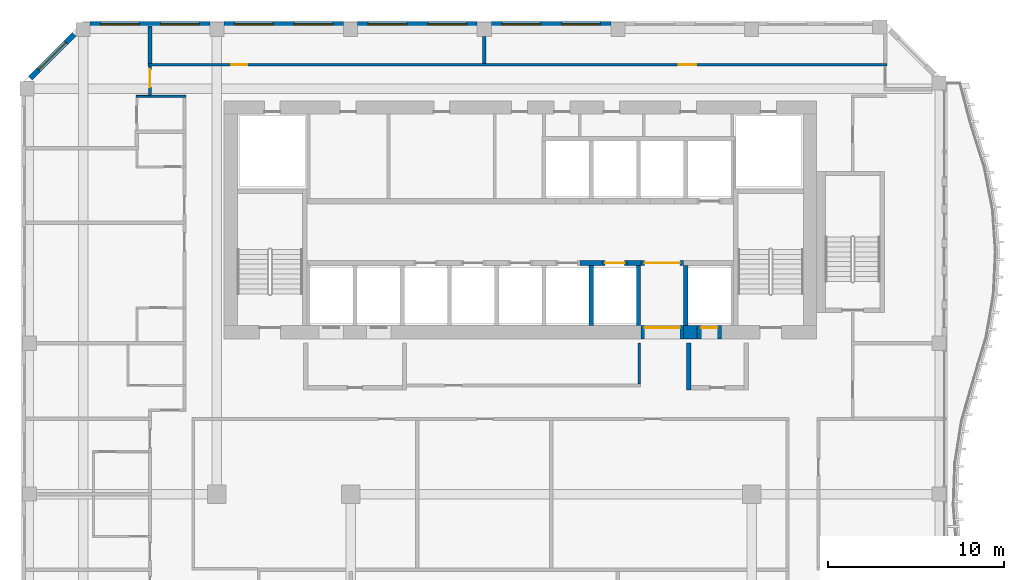
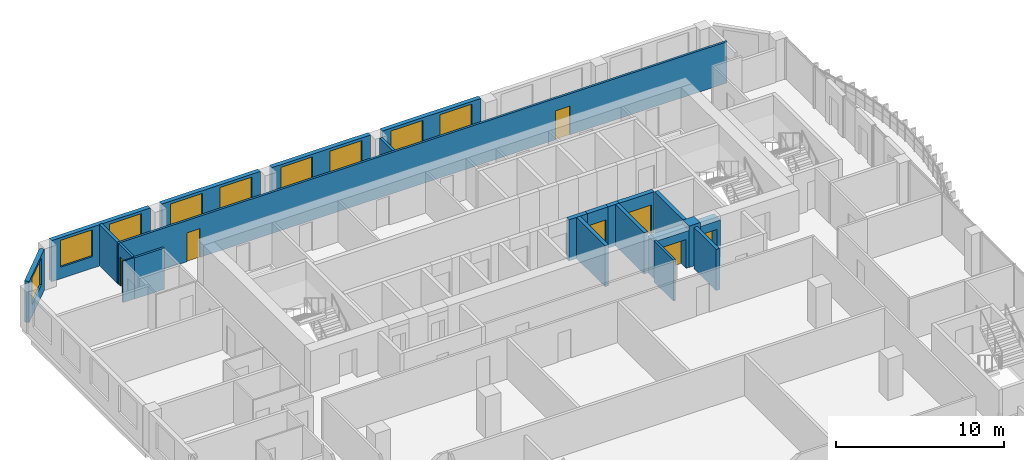
# One storey, part 16 of 24: 23 walls, 9 windows, 7 doors, 16 openings.
"""IFC4 building model written with IfcOpenShell, lengths in metres."""

from ifc_helpers import new_model, si_unit, direction, frame, frame_2d, origin, place, context, subcontext, project, spatial, rectangle, extrude, source, transform, mapped, material, layer, layer_set, type_object, element, fill, save


model = new_model("IFC4")

# Units and contexts
model_context = context("Model", 3, precision=1e-05, world=origin(), true_north=direction((0.0, 1.0)))
body_context = subcontext(model_context, "Body", "Model", "MODEL_VIEW")
ifc_project = project(units=[si_unit("LENGTHUNIT", "METRE"), si_unit("AREAUNIT", "SQUARE_METRE"), si_unit("VOLUMEUNIT", "CUBIC_METRE"), si_unit("PLANEANGLEUNIT", "RADIAN"), si_unit("MASSUNIT", "GRAM", prefix="KILO")], contexts=[model_context])

# Site, building, storey
site_placement = place(None, origin())
site = spatial("IfcSite", under=ifc_project, at=site_placement, CompositionType="ELEMENT")
building_placement = place(site_placement, origin())
building = spatial("IfcBuilding", under=site, at=building_placement, Name="Kilnfold Tower and Market Hall", CompositionType="ELEMENT")
storey_placement = place(building_placement, frame((0.0, 0.0, 192.300048828125)))
storey = spatial("IfcBuildingStorey", under=building, at=storey_placement, Name="L46", CompositionType="ELEMENT", Elevation=192.300048828125)

# Wall, opening, door
ifc_material_1 = material(Name="Gypsum board on steel studs", Category="steel")
ifc_layer_1 = layer(ifc_material_1, 0.14990234375)
ifc_layer_set_1 = layer_set([ifc_layer_1], Name="Gypsum board on steel studs")
wall_type_1 = type_object("IfcWallType", Name="WALL CORRIDOR 150", PredefinedType="PARTITIONING", material=ifc_layer_set_1)
wall_1_placement = place(storey_placement, frame((-19.958984375, 22.074951171875, 0.0), z_axis=(0.0, 0.0, 1.0), x_axis=(0.0, 1.0, 0.0)))
wall_1 = element("IfcWall", 1, at=wall_1_placement, inside=storey, type_object=wall_type_1, Name="Partition LY28.26", PredefinedType="PARTITIONING", context=body_context, shape_type="SweptSolid", body=[
    extrude(rectangle(XDim=1.650146484375, YDim=0.14990234375, at=frame_2d((0.8251953125, 0.0))), origin(), (0.0, 0.0, 1.0), 3.0),
])
opening_1_placement = place(wall_1_placement, frame((0.449951171875, 0.0, 0.0)))
opening_1 = element("IfcOpeningElement", 2, at=opening_1_placement, cuts=wall_1, Name="Opening D1", PredefinedType="OPENING", context=body_context, shape_type="SweptSolid", body=[
    extrude(rectangle(XDim=1.0, YDim=2.10009765625, at=frame_2d((0.5, 1.050048828125))), frame((0.0, 0.0849609375, 0.0), z_axis=(0.0, -1.0, 0.0), x_axis=(1.0, 0.0, 0.0)), (0.0, 0.0, 1.0), 0.169921875),
])
ifc_material_2 = material(Name="Timber veneer door leaf in steel frame", Category="steel")
door_type_1 = type_object("IfcDoorType", Name="DOOR ENTRY 1000 X2100", OperationType="NOTDEFINED", PredefinedType="DOOR", material=ifc_material_2)
door_1_placement = place(opening_1_placement, origin())
door_1 = element("IfcDoor", 3, at=door_1_placement, inside=storey, type_object=door_type_1, Name="Door D1", OperationType="SINGLE_SWING_LEFT", OverallHeight=2.10009765625, OverallWidth=1.0, PredefinedType="DOOR", context=body_context, shape_type="SweptSolid", body=[
    extrude(rectangle(XDim=1.0, YDim=2.10009765625, at=frame_2d((0.5, 1.050048828125))), frame((0.0, 0.02490234375, 0.0), z_axis=(0.0, -1.0, 0.0), x_axis=(1.0, 0.0, 0.0)), (0.0, 0.0, 1.0), 0.050048828125),
])
fill(opening_1, door_1)

# Wall
wall_2_placement = place(storey_placement, frame((-19.958984375, 22.0, 0.0), z_axis=(0.0, 0.0, 1.0), x_axis=(1.0, 0.0, 0.0)))
element("IfcWall", 4, at=wall_2_placement, inside=storey, type_object=wall_type_1, Name="Partition LY28.28", PredefinedType="PARTITIONING", context=body_context, shape_type="SweptSolid", body=[
    extrude(rectangle(XDim=2.033935546875, YDim=0.14990234375, at=frame_2d((1.01708984375, 0.0))), origin(), (0.0, 0.0, 1.0), 3.0),
])

# Wall, openings, doors
wall_3_placement = place(storey_placement, frame((-20.05908203125, 23.800048828125, 0.0), z_axis=(0.0, 0.0, 1.0), x_axis=(1.0, 0.0, 0.0)))
wall_3 = element("IfcWall", 5, at=wall_3_placement, inside=storey, type_object=wall_type_1, Name="Partition LY28.39", PredefinedType="PARTITIONING", context=body_context, shape_type="SweptSolid", body=[
    extrude(rectangle(XDim=41.9091796875, YDim=0.14990234375, at=frame_2d((20.95458984375, 0.0))), origin(), (0.0, 0.0, 1.0), 3.0),
])
opening_2_placement = place(wall_3_placement, frame((4.718017578125, 0.0, 0.0)))
opening_2 = element("IfcOpeningElement", 6, at=opening_2_placement, cuts=wall_3, Name="Opening D2", PredefinedType="OPENING", context=body_context, shape_type="SweptSolid", body=[
    extrude(rectangle(XDim=0.89990234375, YDim=2.10009765625, at=frame_2d((0.449951171875, 1.050048828125))), frame((0.0, 0.0849609375, 0.0), z_axis=(0.0, -1.0, 0.0), x_axis=(1.0, 0.0, 0.0)), (0.0, 0.0, 1.0), 0.169921875),
])
opening_3_placement = place(wall_3_placement, frame((30.0791015625, 0.0, 0.0)))
opening_3 = element("IfcOpeningElement", 7, at=opening_3_placement, cuts=wall_3, Name="Opening D4", PredefinedType="OPENING", context=body_context, shape_type="SweptSolid", body=[
    extrude(rectangle(XDim=1.0, YDim=2.10009765625, at=frame_2d((0.5, 1.050048828125))), frame((0.0, 0.0849609375, 0.0), z_axis=(0.0, -1.0, 0.0), x_axis=(1.0, 0.0, 0.0)), (0.0, 0.0, 1.0), 0.169921875),
])
ifc_material_3 = material(Name="Timber veneer door leaf in steel frame", Category="steel")
door_type_2 = type_object("IfcDoorType", Name="DOOR ROOM 900 X2100", OperationType="NOTDEFINED", PredefinedType="DOOR", material=ifc_material_3)
door_2_placement = place(opening_2_placement, origin())
door_2 = element("IfcDoor", 8, at=door_2_placement, inside=storey, type_object=door_type_2, Name="Door D2", OperationType="SINGLE_SWING_LEFT", OverallHeight=2.10009765625, OverallWidth=0.89990234375, PredefinedType="DOOR", context=body_context, shape_type="SweptSolid", body=[
    extrude(rectangle(XDim=0.89990234375, YDim=2.10009765625, at=frame_2d((0.449951171875, 1.050048828125))), frame((0.0, 0.02490234375, 0.0), z_axis=(0.0, -1.0, 0.0), x_axis=(1.0, 0.0, 0.0)), (0.0, 0.0, 1.0), 0.050048828125),
])
fill(opening_2, door_2)
ifc_material_4 = material(Name="Timber veneer door leaf in steel frame", Category="steel")
door_type_3 = type_object("IfcDoorType", Name="DOOR SERVICE 1000 X2100", OperationType="NOTDEFINED", PredefinedType="DOOR", material=ifc_material_4)
door_3_placement = place(opening_3_placement, origin())
door_3 = element("IfcDoor", 9, at=door_3_placement, inside=storey, type_object=door_type_3, Name="Door D4", OperationType="SINGLE_SWING_LEFT", OverallHeight=2.10009765625, OverallWidth=1.0, PredefinedType="DOOR", context=body_context, shape_type="SweptSolid", body=[
    extrude(rectangle(XDim=1.0, YDim=2.10009765625, at=frame_2d((0.5, 1.050048828125))), frame((0.0, 0.02490234375, 0.0), z_axis=(0.0, -1.0, 0.0), x_axis=(1.0, 0.0, 0.0)), (0.0, 0.0, 1.0), 0.050048828125),
])
fill(opening_3, door_3)

# Walls
wall_4_placement = place(storey_placement, frame((7.800048828125, 8.0, 0.0), z_axis=(0.0, 0.0, 1.0), x_axis=(0.0, -1.0, 0.0)))
element("IfcWall", 10, at=wall_4_placement, inside=storey, type_object=wall_type_1, Name="Partition LY28.41", PredefinedType="PARTITIONING", context=body_context, shape_type="SweptSolid", body=[
    extrude(rectangle(XDim=2.324951171875, YDim=0.14990234375, at=frame_2d((1.16259765625, 0.0))), origin(), (0.0, 0.0, 1.0), 3.0),
])
ifc_material_5 = material(Name="Gypsum board on steel studs", Category="steel")
ifc_layer_2 = layer(ifc_material_5, 0.10009765625)
ifc_layer_set_2 = layer_set([ifc_layer_2], Name="Gypsum board on steel studs")
wall_type_2 = type_object("IfcWallType", Name="WALL PARTITION 100", PredefinedType="PARTITIONING", material=ifc_layer_set_2)
wall_5_placement = place(storey_placement, frame((-20.751953125, 22.0, 0.0), z_axis=(0.0, 0.0, 1.0), x_axis=(1.0, 0.0, 0.0)))
element("IfcWall", 11, at=wall_5_placement, inside=storey, type_object=wall_type_2, Name="Partition LY28.112", PredefinedType="PARTITIONING", context=body_context, shape_type="SweptSolid", body=[
    extrude(rectangle(XDim=0.791015625, YDim=0.10009765625, at=frame_2d((0.3955078125, 0.0))), origin(), (0.0, 0.0, 1.0), 3.0),
])
ifc_material_6 = material(Name="Gypsum board on steel studs", Category="steel")
ifc_layer_3 = layer(ifc_material_6, 0.199951171875)
ifc_layer_set_3 = layer_set([ifc_layer_3], Name="Gypsum board on steel studs")
wall_type_3 = type_object("IfcWallType", Name="WALL PARTY 200", PredefinedType="PARTITIONING", material=ifc_layer_set_3)
wall_6_placement = place(storey_placement, frame((-19.958984375, 23.876953125, 0.0), z_axis=(0.0, 0.0, 1.0), x_axis=(0.0, 1.0, 0.0)))
element("IfcWall", 12, at=wall_6_placement, inside=storey, type_object=wall_type_3, Name="Partition LY28.114", PredefinedType="PARTITIONING", context=body_context, shape_type="SweptSolid", body=[
    extrude(rectangle(XDim=2.123046875, YDim=0.199951171875, at=frame_2d((1.0615234375, 0.0))), origin(), (0.0, 0.0, 1.0), 3.0),
])
wall_7_placement = place(storey_placement, frame((-1.0, 23.876953125, 0.0), z_axis=(0.0, 0.0, 1.0), x_axis=(0.0, 1.0, 0.0)))
element("IfcWall", 13, at=wall_7_placement, inside=storey, type_object=wall_type_3, Name="Partition LY28.121", PredefinedType="PARTITIONING", context=body_context, shape_type="SweptSolid", body=[
    extrude(rectangle(XDim=1.52294921875, YDim=0.199951171875, at=frame_2d((0.761474609375, 0.0))), origin(), (0.0, 0.0, 1.0), 3.0),
])
ifc_material_7 = material(Name="Concrete C60", Category="concrete")
ifc_layer_4 = layer(ifc_material_7, 0.300048828125)
ifc_layer_set_4 = layer_set([ifc_layer_4], Name="Concrete C60")
wall_type_4 = type_object("IfcWallType", Name="CORE WALL 300 C60", PredefinedType="SHEAR", material=ifc_layer_set_4)
shared_shape_1 = source(origin(), body_context, "Body", "SweptSolid", [
    extrude(rectangle(XDim=1.280029296875, YDim=0.300048828125, at=frame_2d((0.64013671875, 0.0))), origin(), (0.0, 0.0, 1.0), 3.0),
])
wall_8_placement = place(storey_placement, frame((4.429931640625, 12.550048828125, 0.0), z_axis=(0.0, 0.0, 1.0), x_axis=(1.0, 0.0, 0.0)))
element("IfcWall", 14, at=wall_8_placement, inside=storey, type_object=wall_type_4, Name="Core spine wall", PredefinedType="SHEAR", context=body_context, shape_type="MappedRepresentation", body=[
    mapped(shared_shape_1, transform((0.0, 0.0, 0.0))),
])
shared_shape_2 = source(origin(), body_context, "Body", "SweptSolid", [
    extrude(rectangle(XDim=0.77978515625, YDim=0.300048828125, at=frame_2d((0.389892578125, 0.0))), origin(), (0.0, 0.0, 1.0), 3.0),
])
wall_9_placement = place(storey_placement, frame((7.110107421875, 12.550048828125, 0.0), z_axis=(0.0, 0.0, 1.0), x_axis=(1.0, 0.0, 0.0)))
element("IfcWall", 15, at=wall_9_placement, inside=storey, type_object=wall_type_4, Name="Core spine wall", PredefinedType="SHEAR", context=body_context, shape_type="MappedRepresentation", body=[
    mapped(shared_shape_2, transform((0.0, 0.0, 0.0))),
])
ifc_material_8 = material(Name="Concrete C60", Category="concrete")
ifc_layer_5 = layer(ifc_material_8, 0.75)
ifc_layer_set_5 = layer_set([ifc_layer_5], Name="Concrete C60")
wall_type_5 = type_object("IfcWallType", Name="CORE WALL 750 C60", PredefinedType="SHEAR", material=ifc_layer_set_5)
shared_shape_3 = source(origin(), body_context, "Body", "SweptSolid", [
    extrude(rectangle(XDim=0.780029296875, YDim=0.75, at=frame_2d((0.39013671875, 0.0))), origin(), (0.0, 0.0, 1.0), 3.0),
])
wall_10_placement = place(storey_placement, frame((10.2900390625, 8.625, 0.0), z_axis=(0.0, 0.0, 1.0), x_axis=(1.0, 0.0, 0.0)))
element("IfcWall", 16, at=wall_10_placement, inside=storey, type_object=wall_type_5, Name="Core outer wall south", PredefinedType="SHEAR", context=body_context, shape_type="MappedRepresentation", body=[
    mapped(shared_shape_3, transform((0.0, 0.0, 0.0))),
])

# Wall, opening, window
ifc_material_9 = material(Name="Precast concrete C50/60", Category="concrete")
ifc_layer_6 = layer(ifc_material_9, 0.300048828125)
ifc_layer_set_6 = layer_set([ifc_layer_6], Name="Precast concrete C50/60")
wall_type_6 = type_object("IfcWallType", Name="PRECAST WALL 300", PredefinedType="SOLIDWALL", material=ifc_layer_set_6)
shared_shape_4 = source(origin(), body_context, "Body", "SweptSolid", [
    extrude(rectangle(XDim=3.500244140625, YDim=0.300048828125, at=frame_2d((1.75, 0.0))), origin(), (0.0, 0.0, 1.0), 3.0),
])
wall_11_placement = place(storey_placement, frame((-24.268798828125, 25.518798828125, 0.0), z_axis=(0.0, 0.0, 1.0), x_axis=(-0.707141656123, -0.70707190453, 0.0)))
wall_11 = element("IfcWall", 17, at=wall_11_placement, inside=storey, type_object=wall_type_6, Name="External wall L46 NW", PredefinedType="SOLIDWALL", context=body_context, shape_type="MappedRepresentation", body=[
    mapped(shared_shape_4, transform((0.0, 0.0, 0.0))),
])
opening_4_placement = place(wall_11_placement, frame((0.650146484375, 0.0, 0.85009765625)))
opening_4 = element("IfcOpeningElement", 18, at=opening_4_placement, cuts=wall_11, Name="Opening W2", PredefinedType="OPENING", context=body_context, shape_type="SweptSolid", body=[
    extrude(rectangle(XDim=2.199951171875, YDim=1.949951171875, at=frame_2d((1.10009765625, 0.97509765625))), frame((0.0, 0.16015625, 0.0), z_axis=(0.0, -1.0, 0.0), x_axis=(1.0, 0.0, 0.0)), (0.0, 0.0, 1.0), 0.320068359375),
])
ifc_material_10 = material(Name="Aluminium frame and double glazing", Category="aluminium")
window_type = type_object("IfcWindowType", Name="WINDOW W2 2200X1950", PartitioningType="SINGLE_PANEL", PredefinedType="WINDOW", material=ifc_material_10)
window_1_placement = place(opening_4_placement, origin())
window_1 = element("IfcWindow", 19, at=window_1_placement, inside=storey, type_object=window_type, Name="Window W2 L46 NW-1", OverallHeight=1.949951171875, OverallWidth=2.199951171875, PartitioningType="SINGLE_PANEL", PredefinedType="WINDOW", context=body_context, shape_type="SweptSolid", body=[
    extrude(rectangle(XDim=2.199951171875, YDim=1.949951171875, at=frame_2d((1.10009765625, 0.97509765625))), frame((0.0, 0.030029296875, 0.0), z_axis=(0.0, -1.0, 0.0), x_axis=(1.0, 0.0, 0.0)), (0.0, 0.0, 1.0), 0.06005859375),
])
fill(opening_4, window_1)

# Wall, openings, windows
shared_shape_5 = source(origin(), body_context, "Body", "SweptSolid", [
    extrude(rectangle(XDim=6.783203125, YDim=0.300048828125, at=frame_2d((3.3916015625, 0.0))), origin(), (0.0, 0.0, 1.0), 3.0),
])
wall_12_placement = place(storey_placement, frame((-8.9833984375, 26.10009765625, 0.0), z_axis=(0.0, 0.0, 1.0), x_axis=(-1.0, 0.0, 0.0)))
wall_12 = element("IfcWall", 20, at=wall_12_placement, inside=storey, type_object=wall_type_6, Name="External wall L46 N", PredefinedType="SOLIDWALL", context=body_context, shape_type="MappedRepresentation", body=[
    mapped(shared_shape_5, transform((0.0, 0.0, 0.0))),
])
opening_5_placement = place(wall_12_placement, frame((0.595703125, 0.0, 0.85009765625)))
opening_5 = element("IfcOpeningElement", 21, at=opening_5_placement, cuts=wall_12, Name="Opening W2", PredefinedType="OPENING", context=body_context, shape_type="SweptSolid", body=[
    extrude(rectangle(XDim=2.199951171875, YDim=1.949951171875, at=frame_2d((1.10009765625, 0.97509765625))), frame((0.0, 0.16015625, 0.0), z_axis=(0.0, -1.0, 0.0), x_axis=(1.0, 0.0, 0.0)), (0.0, 0.0, 1.0), 0.320068359375),
])
opening_6_placement = place(wall_12_placement, frame((3.987548828125, 0.0, 0.85009765625)))
opening_6 = element("IfcOpeningElement", 22, at=opening_6_placement, cuts=wall_12, Name="Opening W2", PredefinedType="OPENING", context=body_context, shape_type="SweptSolid", body=[
    extrude(rectangle(XDim=2.199951171875, YDim=1.949951171875, at=frame_2d((1.10009765625, 0.97509765625))), frame((0.0, 0.16015625, 0.0), z_axis=(0.0, -1.0, 0.0), x_axis=(1.0, 0.0, 0.0)), (0.0, 0.0, 1.0), 0.320068359375),
])
window_2_placement = place(opening_5_placement, origin())
window_2 = element("IfcWindow", 23, at=window_2_placement, inside=storey, type_object=window_type, Name="Window W2 L46 N-1", OverallHeight=1.949951171875, OverallWidth=2.199951171875, PartitioningType="SINGLE_PANEL", PredefinedType="WINDOW", context=body_context, shape_type="SweptSolid", body=[
    extrude(rectangle(XDim=2.199951171875, YDim=1.949951171875, at=frame_2d((1.10009765625, 0.97509765625))), frame((0.0, 0.030029296875, 0.0), z_axis=(0.0, -1.0, 0.0), x_axis=(1.0, 0.0, 0.0)), (0.0, 0.0, 1.0), 0.06005859375),
])
fill(opening_5, window_2)
window_3_placement = place(opening_6_placement, origin())
window_3 = element("IfcWindow", 24, at=window_3_placement, inside=storey, type_object=window_type, Name="Window W2 L46 N-2", OverallHeight=1.949951171875, OverallWidth=2.199951171875, PartitioningType="SINGLE_PANEL", PredefinedType="WINDOW", context=body_context, shape_type="SweptSolid", body=[
    extrude(rectangle(XDim=2.199951171875, YDim=1.949951171875, at=frame_2d((1.10009765625, 0.97509765625))), frame((0.0, 0.030029296875, 0.0), z_axis=(0.0, -1.0, 0.0), x_axis=(1.0, 0.0, 0.0)), (0.0, 0.0, 1.0), 0.06005859375),
])
fill(opening_6, window_3)

shared_shape_6 = source(origin(), body_context, "Body", "SweptSolid", [
    extrude(rectangle(XDim=6.783447265625, YDim=0.300048828125, at=frame_2d((3.3916015625, 0.0))), origin(), (0.0, 0.0, 1.0), 3.0),
])
wall_13_placement = place(storey_placement, frame((6.183349609375, 26.10009765625, 0.0), z_axis=(0.0, 0.0, 1.0), x_axis=(-1.0, 0.0, 0.0)))
wall_13 = element("IfcWall", 25, at=wall_13_placement, inside=storey, type_object=wall_type_6, Name="External wall L46 N", PredefinedType="SOLIDWALL", context=body_context, shape_type="MappedRepresentation", body=[
    mapped(shared_shape_6, transform((0.0, 0.0, 0.0))),
])
opening_7_placement = place(wall_13_placement, frame((0.595703125, 0.0, 0.85009765625)))
opening_7 = element("IfcOpeningElement", 26, at=opening_7_placement, cuts=wall_13, Name="Opening W2", PredefinedType="OPENING", context=body_context, shape_type="SweptSolid", body=[
    extrude(rectangle(XDim=2.199951171875, YDim=1.949951171875, at=frame_2d((1.10009765625, 0.97509765625))), frame((0.0, 0.16015625, 0.0), z_axis=(0.0, -1.0, 0.0), x_axis=(1.0, 0.0, 0.0)), (0.0, 0.0, 1.0), 0.320068359375),
])
opening_8_placement = place(wall_13_placement, frame((3.987548828125, 0.0, 0.85009765625)))
opening_8 = element("IfcOpeningElement", 27, at=opening_8_placement, cuts=wall_13, Name="Opening W2", PredefinedType="OPENING", context=body_context, shape_type="SweptSolid", body=[
    extrude(rectangle(XDim=2.199951171875, YDim=1.949951171875, at=frame_2d((1.10009765625, 0.97509765625))), frame((0.0, 0.16015625, 0.0), z_axis=(0.0, -1.0, 0.0), x_axis=(1.0, 0.0, 0.0)), (0.0, 0.0, 1.0), 0.320068359375),
])
window_4_placement = place(opening_7_placement, origin())
window_4 = element("IfcWindow", 28, at=window_4_placement, inside=storey, type_object=window_type, Name="Window W2 L46 N-1", OverallHeight=1.949951171875, OverallWidth=2.199951171875, PartitioningType="SINGLE_PANEL", PredefinedType="WINDOW", context=body_context, shape_type="SweptSolid", body=[
    extrude(rectangle(XDim=2.199951171875, YDim=1.949951171875, at=frame_2d((1.10009765625, 0.97509765625))), frame((0.0, 0.030029296875, 0.0), z_axis=(0.0, -1.0, 0.0), x_axis=(1.0, 0.0, 0.0)), (0.0, 0.0, 1.0), 0.06005859375),
])
fill(opening_7, window_4)
window_5_placement = place(opening_8_placement, origin())
window_5 = element("IfcWindow", 29, at=window_5_placement, inside=storey, type_object=window_type, Name="Window W2 L46 N-2", OverallHeight=1.949951171875, OverallWidth=2.199951171875, PartitioningType="SINGLE_PANEL", PredefinedType="WINDOW", context=body_context, shape_type="SweptSolid", body=[
    extrude(rectangle(XDim=2.199951171875, YDim=1.949951171875, at=frame_2d((1.10009765625, 0.97509765625))), frame((0.0, 0.030029296875, 0.0), z_axis=(0.0, -1.0, 0.0), x_axis=(1.0, 0.0, 0.0)), (0.0, 0.0, 1.0), 0.06005859375),
])
fill(opening_8, window_5)

wall_14_placement = place(storey_placement, frame((-1.39990234375, 26.10009765625, 0.0), z_axis=(0.0, 0.0, 1.0), x_axis=(-1.0, 0.0, 0.0)))
wall_14 = element("IfcWall", 30, at=wall_14_placement, inside=storey, type_object=wall_type_6, Name="External wall L46 N", PredefinedType="SOLIDWALL", context=body_context, shape_type="MappedRepresentation", body=[
    mapped(shared_shape_6, transform((0.0, 0.0, 0.0))),
])
opening_9_placement = place(wall_14_placement, frame((0.595703125, 0.0, 0.85009765625)))
opening_9 = element("IfcOpeningElement", 31, at=opening_9_placement, cuts=wall_14, Name="Opening W2", PredefinedType="OPENING", context=body_context, shape_type="SweptSolid", body=[
    extrude(rectangle(XDim=2.199951171875, YDim=1.949951171875, at=frame_2d((1.10009765625, 0.97509765625))), frame((0.0, 0.16015625, 0.0), z_axis=(0.0, -1.0, 0.0), x_axis=(1.0, 0.0, 0.0)), (0.0, 0.0, 1.0), 0.320068359375),
])
opening_10_placement = place(wall_14_placement, frame((3.987548828125, 0.0, 0.85009765625)))
opening_10 = element("IfcOpeningElement", 32, at=opening_10_placement, cuts=wall_14, Name="Opening W2", PredefinedType="OPENING", context=body_context, shape_type="SweptSolid", body=[
    extrude(rectangle(XDim=2.199951171875, YDim=1.949951171875, at=frame_2d((1.10009765625, 0.97509765625))), frame((0.0, 0.16015625, 0.0), z_axis=(0.0, -1.0, 0.0), x_axis=(1.0, 0.0, 0.0)), (0.0, 0.0, 1.0), 0.320068359375),
])
window_6_placement = place(opening_9_placement, origin())
window_6 = element("IfcWindow", 33, at=window_6_placement, inside=storey, type_object=window_type, Name="Window W2 L46 N-1", OverallHeight=1.949951171875, OverallWidth=2.199951171875, PartitioningType="SINGLE_PANEL", PredefinedType="WINDOW", context=body_context, shape_type="SweptSolid", body=[
    extrude(rectangle(XDim=2.199951171875, YDim=1.949951171875, at=frame_2d((1.10009765625, 0.97509765625))), frame((0.0, 0.030029296875, 0.0), z_axis=(0.0, -1.0, 0.0), x_axis=(1.0, 0.0, 0.0)), (0.0, 0.0, 1.0), 0.06005859375),
])
fill(opening_9, window_6)
window_7_placement = place(opening_10_placement, origin())
window_7 = element("IfcWindow", 34, at=window_7_placement, inside=storey, type_object=window_type, Name="Window W2 L46 N-2", OverallHeight=1.949951171875, OverallWidth=2.199951171875, PartitioningType="SINGLE_PANEL", PredefinedType="WINDOW", context=body_context, shape_type="SweptSolid", body=[
    extrude(rectangle(XDim=2.199951171875, YDim=1.949951171875, at=frame_2d((1.10009765625, 0.97509765625))), frame((0.0, 0.030029296875, 0.0), z_axis=(0.0, -1.0, 0.0), x_axis=(1.0, 0.0, 0.0)), (0.0, 0.0, 1.0), 0.06005859375),
])
fill(opening_10, window_7)

wall_15_placement = place(storey_placement, frame((-16.566650390625, 26.10009765625, 0.0), z_axis=(0.0, 0.0, 1.0), x_axis=(-1.0, 0.0, 0.0)))
wall_15 = element("IfcWall", 35, at=wall_15_placement, inside=storey, type_object=wall_type_6, Name="External wall L46 N", PredefinedType="SOLIDWALL", context=body_context, shape_type="MappedRepresentation", body=[
    mapped(shared_shape_6, transform((0.0, 0.0, 0.0))),
])
opening_11_placement = place(wall_15_placement, frame((0.595703125, 0.0, 0.85009765625)))
opening_11 = element("IfcOpeningElement", 36, at=opening_11_placement, cuts=wall_15, Name="Opening W2", PredefinedType="OPENING", context=body_context, shape_type="SweptSolid", body=[
    extrude(rectangle(XDim=2.199951171875, YDim=1.949951171875, at=frame_2d((1.10009765625, 0.97509765625))), frame((0.0, 0.16015625, 0.0), z_axis=(0.0, -1.0, 0.0), x_axis=(1.0, 0.0, 0.0)), (0.0, 0.0, 1.0), 0.320068359375),
])
opening_12_placement = place(wall_15_placement, frame((3.987548828125, 0.0, 0.85009765625)))
opening_12 = element("IfcOpeningElement", 37, at=opening_12_placement, cuts=wall_15, Name="Opening W2", PredefinedType="OPENING", context=body_context, shape_type="SweptSolid", body=[
    extrude(rectangle(XDim=2.199951171875, YDim=1.949951171875, at=frame_2d((1.10009765625, 0.97509765625))), frame((0.0, 0.16015625, 0.0), z_axis=(0.0, -1.0, 0.0), x_axis=(1.0, 0.0, 0.0)), (0.0, 0.0, 1.0), 0.320068359375),
])
window_8_placement = place(opening_11_placement, origin())
window_8 = element("IfcWindow", 38, at=window_8_placement, inside=storey, type_object=window_type, Name="Window W2 L46 N-1", OverallHeight=1.949951171875, OverallWidth=2.199951171875, PartitioningType="SINGLE_PANEL", PredefinedType="WINDOW", context=body_context, shape_type="SweptSolid", body=[
    extrude(rectangle(XDim=2.199951171875, YDim=1.949951171875, at=frame_2d((1.10009765625, 0.97509765625))), frame((0.0, 0.030029296875, 0.0), z_axis=(0.0, -1.0, 0.0), x_axis=(1.0, 0.0, 0.0)), (0.0, 0.0, 1.0), 0.06005859375),
])
fill(opening_11, window_8)
window_9_placement = place(opening_12_placement, origin())
window_9 = element("IfcWindow", 39, at=window_9_placement, inside=storey, type_object=window_type, Name="Window W2 L46 N-2", OverallHeight=1.949951171875, OverallWidth=2.199951171875, PartitioningType="SINGLE_PANEL", PredefinedType="WINDOW", context=body_context, shape_type="SweptSolid", body=[
    extrude(rectangle(XDim=2.199951171875, YDim=1.949951171875, at=frame_2d((1.10009765625, 0.97509765625))), frame((0.0, 0.030029296875, 0.0), z_axis=(0.0, -1.0, 0.0), x_axis=(1.0, 0.0, 0.0)), (0.0, 0.0, 1.0), 0.06005859375),
])
fill(opening_12, window_9)

# Wall, opening, door
ifc_material_11 = material(Name="Gypsum shaft wall system")
ifc_layer_7 = layer(ifc_material_11, 0.300048828125)
ifc_layer_set_7 = layer_set([ifc_layer_7], Name="Gypsum shaft wall system")
wall_type_7 = type_object("IfcWallType", Name="SHAFT WALL 300", PredefinedType="PARTITIONING", material=ifc_layer_set_7)
shared_shape_7 = source(origin(), body_context, "Body", "SweptSolid", [
    extrude(rectangle(XDim=1.400146484375, YDim=0.300048828125, at=frame_2d((0.7001953125, 0.0))), origin(), (0.0, 0.0, 1.0), 3.0),
])
wall_16_placement = place(storey_placement, frame((5.7099609375, 12.550048828125, 0.0), z_axis=(0.0, 0.0, 1.0), x_axis=(1.0, 0.0, 0.0)))
wall_16 = element("IfcWall", 40, at=wall_16_placement, inside=storey, type_object=wall_type_7, Name="Lift shaft front wall", PredefinedType="PARTITIONING", context=body_context, shape_type="MappedRepresentation", body=[
    mapped(shared_shape_7, transform((0.0, 0.0, 0.0))),
])
opening_13_placement = place(wall_16_placement, frame((0.14990234375, 0.0, 0.0)))
opening_13 = element("IfcOpeningElement", 41, at=opening_13_placement, cuts=wall_16, Name="Opening LD2", PredefinedType="OPENING", context=body_context, shape_type="SweptSolid", body=[
    extrude(rectangle(XDim=1.10009765625, YDim=2.10009765625, at=frame_2d((0.550048828125, 1.050048828125))), frame((0.0, 0.16015625, 0.0), z_axis=(0.0, -1.0, 0.0), x_axis=(1.0, 0.0, 0.0)), (0.0, 0.0, 1.0), 0.320068359375),
])
ifc_material_12 = material(Name="Steel door set with fire-resisting leaf", Category="steel")
door_type_4 = type_object("IfcDoorType", Name="LANDING DOOR 1100X2100", OperationType="NOTDEFINED", PredefinedType="DOOR", material=ifc_material_12)
door_4_placement = place(opening_13_placement, origin())
door_4 = element("IfcDoor", 42, at=door_4_placement, inside=storey, type_object=door_type_4, Name="Landing door MR5", OperationType="DOUBLE_DOOR_SLIDING", OverallHeight=2.10009765625, OverallWidth=1.10009765625, PredefinedType="DOOR", context=body_context, shape_type="SweptSolid", body=[
    extrude(rectangle(XDim=1.10009765625, YDim=2.10009765625, at=frame_2d((0.550048828125, 1.050048828125))), frame((0.0, 0.02490234375, 0.0), z_axis=(0.0, -1.0, 0.0), x_axis=(1.0, 0.0, 0.0)), (0.0, 0.0, 1.0), 0.050048828125),
])
fill(opening_13, door_4)

shared_shape_8 = source(origin(), body_context, "Body", "SweptSolid", [
    extrude(rectangle(XDim=2.400146484375, YDim=0.300048828125, at=frame_2d((1.2001953125, 0.0))), origin(), (0.0, 0.0, 1.0), 3.0),
])
wall_17_placement = place(storey_placement, frame((7.889892578125, 12.550048828125, 0.0), z_axis=(0.0, 0.0, 1.0), x_axis=(1.0, 0.0, 0.0)))
wall_17 = element("IfcWall", 43, at=wall_17_placement, inside=storey, type_object=wall_type_7, Name="Lift shaft front wall", PredefinedType="PARTITIONING", context=body_context, shape_type="MappedRepresentation", body=[
    mapped(shared_shape_8, transform((0.0, 0.0, 0.0))),
])
opening_14_placement = place(wall_17_placement, frame((0.199951171875, 0.0, 0.0)))
opening_14 = element("IfcOpeningElement", 44, at=opening_14_placement, cuts=wall_17, Name="Opening VD2", PredefinedType="OPENING", context=body_context, shape_type="SweptSolid", body=[
    extrude(rectangle(XDim=2.0, YDim=2.10009765625, at=frame_2d((1.0, 1.050048828125))), frame((0.0, 0.16015625, 0.0), z_axis=(0.0, -1.0, 0.0), x_axis=(1.0, 0.0, 0.0)), (0.0, 0.0, 1.0), 0.320068359375),
])
ifc_material_13 = material(Name="Steel door set with fire-resisting leaf", Category="steel")
door_type_5 = type_object("IfcDoorType", Name="LIFT LOBBY ENTRANCE DOOR 2000X2100", OperationType="NOTDEFINED", PredefinedType="DOOR", material=ifc_material_13)
door_5_placement = place(opening_14_placement, origin())
door_5 = element("IfcDoor", 45, at=door_5_placement, inside=storey, type_object=door_type_5, Name="Lift lobby entrance door", OperationType="DOUBLE_DOOR_SINGLE_SWING", OverallHeight=2.10009765625, OverallWidth=2.0, PredefinedType="DOOR", context=body_context, shape_type="SweptSolid", body=[
    extrude(rectangle(XDim=2.0, YDim=2.10009765625, at=frame_2d((1.0, 1.050048828125))), frame((0.0, 0.02490234375, 0.0), z_axis=(0.0, -1.0, 0.0), x_axis=(1.0, 0.0, 0.0)), (0.0, 0.0, 1.0), 0.050048828125),
])
fill(opening_14, door_5)

# Walls
ifc_material_14 = material(Name="Gypsum shaft wall system")
ifc_layer_8 = layer(ifc_material_14, 0.25)
ifc_layer_set_8 = layer_set([ifc_layer_8], Name="Gypsum shaft wall system")
wall_type_8 = type_object("IfcWallType", Name="LOBBY WALL 250", PredefinedType="PARTITIONING", material=ifc_layer_set_8)
shared_shape_9 = source(origin(), body_context, "Body", "SweptSolid", [
    extrude(rectangle(XDim=2.64990234375, YDim=0.25, at=frame_2d((1.324951171875, 0.0))), origin(), (0.0, 0.0, 1.0), 3.0),
])
wall_18_placement = place(storey_placement, frame((10.60498046875, 5.35009765625, 0.0), z_axis=(0.0, 0.0, 1.0), x_axis=(0.0, 1.0, 0.0)))
element("IfcWall", 46, at=wall_18_placement, inside=storey, type_object=wall_type_8, Name="Firefighting lobby wall", PredefinedType="PARTITIONING", context=body_context, shape_type="MappedRepresentation", body=[
    mapped(shared_shape_9, transform((0.0, 0.0, 0.0))),
])
ifc_material_15 = material(Name="Gypsum shaft wall system")
ifc_layer_9 = layer(ifc_material_15, 0.25)
ifc_layer_set_9 = layer_set([ifc_layer_9], Name="Gypsum shaft wall system")
wall_type_9 = type_object("IfcWallType", Name="SHAFT WALL 250", PredefinedType="PARTITIONING", material=ifc_layer_set_9)
shared_shape_10 = source(origin(), body_context, "Body", "SweptSolid", [
    extrude(rectangle(XDim=3.39990234375, YDim=0.25, at=frame_2d((1.699951171875, 0.0))), origin(), (0.0, 0.0, 1.0), 3.0),
])
for number, where, z_axis, x_axis, name in (
    (47, (10.429931640625, 9.0, 0.0), (0.0, 0.0, 1.0), (0.0, 1.0, 0.0), "Lift shaft wall"),
    (48, (5.070068359375, 9.0, 0.0), (0.0, 0.0, 1.0), (0.0, 1.0, 0.0), "Lift shaft wall"),
    (49, (7.75, 9.0, 0.0), (0.0, 0.0, 1.0), (0.0, 1.0, 0.0), "Lift shaft wall"),
):
    element("IfcWall", number, at=place(storey_placement, frame(where, z_axis=z_axis, x_axis=x_axis)), inside=storey, type_object=wall_type_9, Name=name, PredefinedType="PARTITIONING", context=body_context, shape_type="MappedRepresentation", body=[
        mapped(shared_shape_10, transform((0.0, 0.0, 0.0))),
    ])

# Wall, opening, door
ifc_material_16 = material(Name="Gypsum shaft wall system")
ifc_layer_10 = layer(ifc_material_16, 0.75)
ifc_layer_set_10 = layer_set([ifc_layer_10], Name="Gypsum shaft wall system")
wall_type_10 = type_object("IfcWallType", Name="LOBBY WALL 750", PredefinedType="PARTITIONING", material=ifc_layer_set_10)
shared_shape_11 = source(origin(), body_context, "Body", "SweptSolid", [
    extrude(rectangle(XDim=1.39990234375, YDim=0.75, at=frame_2d((0.699951171875, 0.0))), origin(), (0.0, 0.0, 1.0), 2.699951171875),
])
wall_19_placement = place(storey_placement, frame((11.070068359375, 8.625, 0.0), z_axis=(0.0, 0.0, 1.0), x_axis=(1.0, 0.0, 0.0)))
wall_19 = element("IfcWall", 50, at=wall_19_placement, inside=storey, type_object=wall_type_10, Name="Core wall infill", PredefinedType="PARTITIONING", context=body_context, shape_type="MappedRepresentation", body=[
    mapped(shared_shape_11, transform((0.0, 0.0, 0.0))),
])
opening_15_placement = place(wall_19_placement, frame((0.25, 0.0, 0.0)))
opening_15 = element("IfcOpeningElement", 51, at=opening_15_placement, cuts=wall_19, Name="Opening LD1", PredefinedType="OPENING", context=body_context, shape_type="SweptSolid", body=[
    extrude(rectangle(XDim=0.89990234375, YDim=2.10009765625, at=frame_2d((0.449951171875, 1.050048828125))), frame((0.0, 0.385009765625, 0.0), z_axis=(0.0, -1.0, 0.0), x_axis=(1.0, 0.0, 0.0)), (0.0, 0.0, 1.0), 0.77001953125),
])
ifc_material_17 = material(Name="Steel door set with fire-resisting leaf", Category="steel")
door_type_6 = type_object("IfcDoorType", Name="FIREFIGHTING LANDING DOOR 900X2100", OperationType="NOTDEFINED", PredefinedType="DOOR", material=ifc_material_17)
door_6_placement = place(opening_15_placement, origin())
door_6 = element("IfcDoor", 52, at=door_6_placement, inside=storey, type_object=door_type_6, Name="Landing door FF3", OperationType="SLIDING_TO_LEFT", OverallHeight=2.10009765625, OverallWidth=0.89990234375, PredefinedType="DOOR", context=body_context, shape_type="SweptSolid", body=[
    extrude(rectangle(XDim=0.89990234375, YDim=2.10009765625, at=frame_2d((0.449951171875, 1.050048828125))), frame((0.0, 0.27978515625, 0.0), z_axis=(0.0, -1.0, 0.0), x_axis=(1.0, 0.0, 0.0)), (0.0, 0.0, 1.0), 0.050048828125),
])
fill(opening_15, door_6)

shared_shape_12 = source(origin(), body_context, "Body", "SweptSolid", [
    extrude(rectangle(XDim=2.400146484375, YDim=0.75, at=frame_2d((1.2001953125, 0.0))), origin(), (0.0, 0.0, 1.0), 2.699951171875),
])
wall_20_placement = place(storey_placement, frame((7.889892578125, 8.625, 0.0), z_axis=(0.0, 0.0, 1.0), x_axis=(1.0, 0.0, 0.0)))
wall_20 = element("IfcWall", 53, at=wall_20_placement, inside=storey, type_object=wall_type_10, Name="Core wall infill", PredefinedType="PARTITIONING", context=body_context, shape_type="MappedRepresentation", body=[
    mapped(shared_shape_12, transform((0.0, 0.0, 0.0))),
])
opening_16_placement = place(wall_20_placement, frame((0.199951171875, 0.0, 0.0)))
opening_16 = element("IfcOpeningElement", 54, at=opening_16_placement, cuts=wall_20, Name="Opening VD2", PredefinedType="OPENING", context=body_context, shape_type="SweptSolid", body=[
    extrude(rectangle(XDim=2.0, YDim=2.10009765625, at=frame_2d((1.0, 1.050048828125))), frame((0.0, 0.385009765625, 0.0), z_axis=(0.0, -1.0, 0.0), x_axis=(1.0, 0.0, 0.0)), (0.0, 0.0, 1.0), 0.77001953125),
])
door_7_placement = place(opening_16_placement, origin())
door_7 = element("IfcDoor", 55, at=door_7_placement, inside=storey, type_object=door_type_5, Name="Lift lobby entrance door", OperationType="DOUBLE_DOOR_SINGLE_SWING", OverallHeight=2.10009765625, OverallWidth=2.0, PredefinedType="DOOR", context=body_context, shape_type="SweptSolid", body=[
    extrude(rectangle(XDim=2.0, YDim=2.10009765625, at=frame_2d((1.0, 1.050048828125))), frame((0.0, 0.27978515625, 0.0), z_axis=(0.0, -1.0, 0.0), x_axis=(1.0, 0.0, 0.0)), (0.0, 0.0, 1.0), 0.050048828125),
])
fill(opening_16, door_7)

save(model, "model.ifc")
